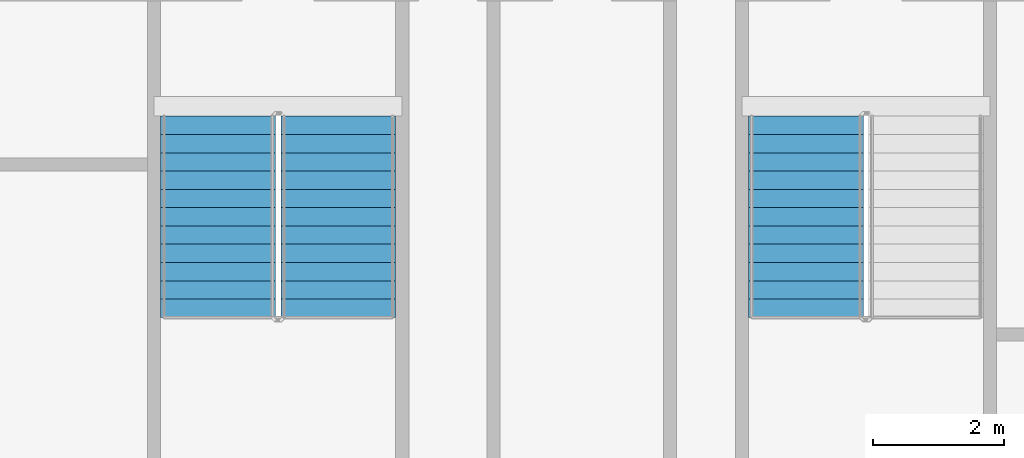
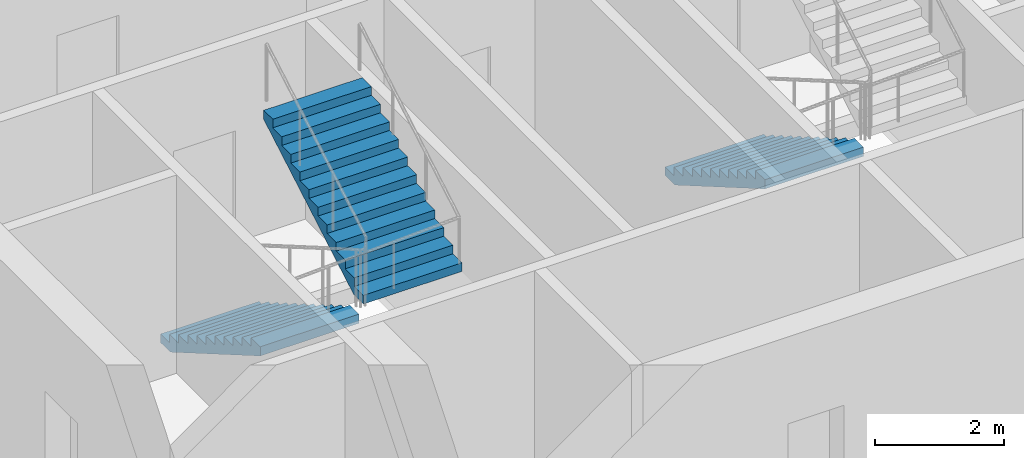
# One storey, part 7 of 14: 3 stair flights, 2 elements without a shape of their own.
"""IFC4 building model written with IfcOpenShell, lengths in metres."""

from ifc_helpers import new_model, si_unit, direction, frame, origin, place, context, subcontext, project, spatial, faceted_brep, material, type_object, element, aggregate, save


model = new_model("IFC4")

# Units and contexts
model_context = context("Model", 3, precision=1e-05, world=origin(), true_north=direction((0.0, 1.0)))
body_context = subcontext(model_context, "Body", "Model", "MODEL_VIEW")
ifc_project = project(units=[si_unit("LENGTHUNIT", "METRE"), si_unit("AREAUNIT", "SQUARE_METRE"), si_unit("VOLUMEUNIT", "CUBIC_METRE"), si_unit("PLANEANGLEUNIT", "RADIAN"), si_unit("MASSUNIT", "GRAM", prefix="KILO")], contexts=[model_context])

# Site, building, storey
site_placement = place(None, origin())
site = spatial("IfcSite", under=ifc_project, at=site_placement, CompositionType="ELEMENT")
building_placement = place(site_placement, origin())
building = spatial("IfcBuilding", under=site, at=building_placement, Name="Tarsis Ring Headquarters", CompositionType="ELEMENT")
storey_placement = place(building_placement, frame((0.0, 0.0, 343.10009765625)))
storey = spatial("IfcBuildingStorey", under=building, at=storey_placement, Name="L81", CompositionType="ELEMENT", Elevation=343.10009765625)

# Stair, stair flights
ifc_material_1 = material(Name="Core stair 1760")
stair_type = type_object("IfcStairType", Name="Core stair 1760", PredefinedType="HALF_TURN_STAIR", material=ifc_material_1)
stair_1_placement = place(storey_placement, origin())
stair_1 = element("IfcStair", 1, at=stair_1_placement, inside=storey, type_object=stair_type, Name="L81 Exit stair C", PredefinedType="HALF_TURN_STAIR")
ifc_material_2 = material(Name="Concrete C40/50", Category="concrete")
stair_flight_type = type_object("IfcStairFlightType", Name="Core stair flight 1760", PredefinedType="STRAIGHT", material=ifc_material_2)
stair_flight_1_placement = place(storey_placement, frame((-5.419921875, -3.659912109375, 0.0), z_axis=(0.0, 0.0, 1.0), x_axis=(0.0, -1.0, 0.0)))
stair_flight_1 = element("IfcStairFlight", 2, at=stair_flight_1_placement, type_object=stair_flight_type, Name="Stair ST3 flight 1", NumberOfRisers=12, NumberOfTreads=11, PredefinedType="STRAIGHT", RiserHeight=0.1625, TreadLength=0.28, context=body_context, shape_type="Brep", body=[
    faceted_brep([(0.0, 0.8798828125, 0.0), (0.0, 0.8798828125, 0.16259765625), (0.280029296875, 0.8798828125, 0.16259765625), (0.280029296875, 0.8798828125, 0.324951171875), (0.56005859375, 0.8798828125, 0.324951171875), (0.56005859375, 0.8798828125, 0.487548828125), (0.840087890625, 0.8798828125, 0.487548828125), (0.840087890625, 0.8798828125, 0.64990234375), (1.1201171875, 0.8798828125, 0.64990234375), (1.1201171875, 0.8798828125, 0.8125), (1.39990234375, 0.8798828125, 0.8125), (1.39990234375, 0.8798828125, 0.97509765625), (1.679931640625, 0.8798828125, 0.97509765625), (1.679931640625, 0.8798828125, 1.137451171875), (1.9599609375, 0.8798828125, 1.137451171875), (1.9599609375, 0.8798828125, 1.300048828125), (2.239990234375, 0.8798828125, 1.300048828125), (2.239990234375, 0.8798828125, 1.46240234375), (2.52001953125, 0.8798828125, 1.46240234375), (2.52001953125, 0.8798828125, 1.625), (2.800048828125, 0.8798828125, 1.625), (2.800048828125, 0.8798828125, 1.78759765625), (3.080078125, 0.8798828125, 1.78759765625), (3.080078125, 0.8798828125, 1.6142578125), (0.298583984375, 0.8798828125, 0.0), (0.298583984375, -0.8798828125, 0.0), (3.080078125, -0.8798828125, 1.6142578125), (3.080078125, -0.8798828125, 1.78759765625), (2.800048828125, -0.8798828125, 1.78759765625), (2.800048828125, -0.8798828125, 1.625), (2.52001953125, -0.8798828125, 1.625), (2.52001953125, -0.8798828125, 1.46240234375), (2.239990234375, -0.8798828125, 1.46240234375), (2.239990234375, -0.8798828125, 1.300048828125), (1.9599609375, -0.8798828125, 1.300048828125), (1.9599609375, -0.8798828125, 1.137451171875), (1.679931640625, -0.8798828125, 1.137451171875), (1.679931640625, -0.8798828125, 0.97509765625), (1.39990234375, -0.8798828125, 0.97509765625), (1.39990234375, -0.8798828125, 0.8125), (1.1201171875, -0.8798828125, 0.8125), (1.1201171875, -0.8798828125, 0.64990234375), (0.840087890625, -0.8798828125, 0.64990234375), (0.840087890625, -0.8798828125, 0.487548828125), (0.56005859375, -0.8798828125, 0.487548828125), (0.56005859375, -0.8798828125, 0.324951171875), (0.280029296875, -0.8798828125, 0.324951171875), (0.280029296875, -0.8798828125, 0.16259765625), (0.0, -0.8798828125, 0.16259765625), (0.0, -0.8798828125, 0.0), (0.0, -0.43994140625, 0.16259765625), (0.0, -0.43994140625, 0.0), (0.0, 0.0, 0.16259765625), (0.0, 0.0, 0.0), (0.0, 0.43994140625, 0.16259765625), (0.0, 0.43994140625, 0.0), (0.280029296875, -0.43994140625, 0.16259765625), (0.280029296875, 0.0, 0.16259765625), (0.280029296875, 0.43994140625, 0.16259765625), (0.280029296875, -0.43994140625, 0.324951171875), (0.280029296875, 0.0, 0.324951171875), (0.280029296875, 0.43994140625, 0.324951171875), (0.56005859375, -0.43994140625, 0.324951171875), (0.56005859375, 0.0, 0.324951171875), (0.56005859375, 0.43994140625, 0.324951171875), (0.56005859375, -0.43994140625, 0.487548828125), (0.56005859375, 0.0, 0.487548828125), (0.56005859375, 0.43994140625, 0.487548828125), (0.840087890625, -0.43994140625, 0.487548828125), (0.840087890625, 0.0, 0.487548828125), (0.840087890625, 0.43994140625, 0.487548828125), (0.840087890625, -0.43994140625, 0.64990234375), (0.840087890625, 0.0, 0.64990234375), (0.840087890625, 0.43994140625, 0.64990234375), (1.1201171875, -0.43994140625, 0.64990234375), (1.1201171875, 0.0, 0.64990234375), (1.1201171875, 0.43994140625, 0.64990234375), (1.1201171875, -0.43994140625, 0.8125), (1.1201171875, 0.0, 0.8125), (1.1201171875, 0.43994140625, 0.8125), (1.39990234375, -0.43994140625, 0.8125), (1.39990234375, 0.0, 0.8125), (1.39990234375, 0.43994140625, 0.8125), (1.39990234375, -0.43994140625, 0.97509765625), (1.39990234375, 0.0, 0.97509765625), (1.39990234375, 0.43994140625, 0.97509765625), (1.679931640625, -0.43994140625, 0.97509765625), (1.679931640625, 0.0, 0.97509765625), (1.679931640625, 0.43994140625, 0.97509765625), (1.679931640625, -0.43994140625, 1.137451171875), (1.679931640625, 0.0, 1.137451171875), (1.679931640625, 0.43994140625, 1.137451171875), (1.9599609375, -0.43994140625, 1.137451171875), (1.9599609375, 0.0, 1.137451171875), (1.9599609375, 0.43994140625, 1.137451171875), (1.9599609375, -0.43994140625, 1.300048828125), (1.9599609375, 0.0, 1.300048828125), (1.9599609375, 0.43994140625, 1.300048828125), (2.239990234375, -0.43994140625, 1.300048828125), (2.239990234375, 0.0, 1.300048828125), (2.239990234375, 0.43994140625, 1.300048828125), (2.239990234375, -0.43994140625, 1.46240234375), (2.239990234375, 0.0, 1.46240234375), (2.239990234375, 0.43994140625, 1.46240234375), (2.52001953125, -0.43994140625, 1.46240234375), (2.52001953125, 0.0, 1.46240234375), (2.52001953125, 0.43994140625, 1.46240234375), (2.52001953125, -0.43994140625, 1.625), (2.52001953125, 0.0, 1.625), (2.52001953125, 0.43994140625, 1.625), (2.800048828125, -0.43994140625, 1.625), (2.800048828125, 0.0, 1.625), (2.800048828125, 0.43994140625, 1.625), (2.800048828125, -0.43994140625, 1.78759765625), (2.800048828125, 0.0, 1.78759765625), (2.800048828125, 0.43994140625, 1.78759765625), (3.080078125, -0.43994140625, 1.78759765625), (3.080078125, 0.0, 1.78759765625), (3.080078125, 0.43994140625, 1.78759765625), (3.080078125, -0.43994140625, 1.6142578125), (3.080078125, 0.0, 1.6142578125), (3.080078125, 0.43994140625, 1.6142578125), (0.298583984375, -0.43994140625, 0.0), (0.298583984375, 0.0, 0.0), (0.298583984375, 0.43994140625, 0.0)], [[[0, 1, 2, 3, 4, 5, 6, 7, 8, 9, 10, 11, 12, 13, 14, 15, 16, 17, 18, 19, 20, 21, 22, 23, 24]], [[25, 26, 27, 28, 29, 30, 31, 32, 33, 34, 35, 36, 37, 38, 39, 40, 41, 42, 43, 44, 45, 46, 47, 48, 49]], [[49, 48, 50, 51]], [[51, 50, 52, 53]], [[53, 52, 54, 55]], [[55, 54, 1, 0]], [[48, 47, 56, 50]], [[50, 56, 57, 52]], [[52, 57, 58, 54]], [[54, 58, 2, 1]], [[47, 46, 59, 56]], [[56, 59, 60, 57]], [[57, 60, 61, 58]], [[58, 61, 3, 2]], [[46, 45, 62, 59]], [[59, 62, 63, 60]], [[60, 63, 64, 61]], [[61, 64, 4, 3]], [[45, 44, 65, 62]], [[62, 65, 66, 63]], [[63, 66, 67, 64]], [[64, 67, 5, 4]], [[44, 43, 68, 65]], [[65, 68, 69, 66]], [[66, 69, 70, 67]], [[67, 70, 6, 5]], [[43, 42, 71, 68]], [[68, 71, 72, 69]], [[69, 72, 73, 70]], [[70, 73, 7, 6]], [[42, 41, 74, 71]], [[71, 74, 75, 72]], [[72, 75, 76, 73]], [[73, 76, 8, 7]], [[41, 40, 77, 74]], [[74, 77, 78, 75]], [[75, 78, 79, 76]], [[76, 79, 9, 8]], [[40, 39, 80, 77]], [[77, 80, 81, 78]], [[78, 81, 82, 79]], [[79, 82, 10, 9]], [[39, 38, 83, 80]], [[80, 83, 84, 81]], [[81, 84, 85, 82]], [[82, 85, 11, 10]], [[38, 37, 86, 83]], [[83, 86, 87, 84]], [[84, 87, 88, 85]], [[85, 88, 12, 11]], [[37, 36, 89, 86]], [[86, 89, 90, 87]], [[87, 90, 91, 88]], [[88, 91, 13, 12]], [[36, 35, 92, 89]], [[89, 92, 93, 90]], [[90, 93, 94, 91]], [[91, 94, 14, 13]], [[35, 34, 95, 92]], [[92, 95, 96, 93]], [[93, 96, 97, 94]], [[94, 97, 15, 14]], [[34, 33, 98, 95]], [[95, 98, 99, 96]], [[96, 99, 100, 97]], [[97, 100, 16, 15]], [[33, 32, 101, 98]], [[98, 101, 102, 99]], [[99, 102, 103, 100]], [[100, 103, 17, 16]], [[32, 31, 104, 101]], [[101, 104, 105, 102]], [[102, 105, 106, 103]], [[103, 106, 18, 17]], [[31, 30, 107, 104]], [[104, 107, 108, 105]], [[105, 108, 109, 106]], [[106, 109, 19, 18]], [[30, 29, 110, 107]], [[107, 110, 111, 108]], [[108, 111, 112, 109]], [[109, 112, 20, 19]], [[29, 28, 113, 110]], [[110, 113, 114, 111]], [[111, 114, 115, 112]], [[112, 115, 21, 20]], [[28, 27, 116, 113]], [[113, 116, 117, 114]], [[114, 117, 118, 115]], [[115, 118, 22, 21]], [[27, 26, 119, 116]], [[116, 119, 120, 117]], [[117, 120, 121, 118]], [[118, 121, 23, 22]], [[26, 25, 122, 119]], [[119, 122, 123, 120]], [[120, 123, 124, 121]], [[121, 124, 24, 23]], [[25, 49, 51, 122]], [[122, 51, 53, 123]], [[123, 53, 55, 124]], [[124, 55, 0, 24]]]),
])
stair_flight_2_placement = place(storey_placement, frame((-3.580078125, -6.739990234375, 1.949951171875), z_axis=(0.0, 0.0, 1.0), x_axis=(0.0, 1.0, 0.0)))
stair_flight_2 = element("IfcStairFlight", 3, at=stair_flight_2_placement, type_object=stair_flight_type, Name="Stair ST3 flight 2", NumberOfRisers=12, NumberOfTreads=11, PredefinedType="STRAIGHT", RiserHeight=0.1625, TreadLength=0.28, context=body_context, shape_type="Brep", body=[
    faceted_brep([(0.0, 0.8798828125, 0.0), (0.0, 0.8798828125, 0.16259765625), (0.280029296875, 0.8798828125, 0.16259765625), (0.280029296875, 0.8798828125, 0.324951171875), (0.56005859375, 0.8798828125, 0.324951171875), (0.56005859375, 0.8798828125, 0.487548828125), (0.840087890625, 0.8798828125, 0.487548828125), (0.840087890625, 0.8798828125, 0.64990234375), (1.1201171875, 0.8798828125, 0.64990234375), (1.1201171875, 0.8798828125, 0.8125), (1.39990234375, 0.8798828125, 0.8125), (1.39990234375, 0.8798828125, 0.97509765625), (1.679931640625, 0.8798828125, 0.97509765625), (1.679931640625, 0.8798828125, 1.137451171875), (1.9599609375, 0.8798828125, 1.137451171875), (1.9599609375, 0.8798828125, 1.300048828125), (2.239990234375, 0.8798828125, 1.300048828125), (2.239990234375, 0.8798828125, 1.46240234375), (2.52001953125, 0.8798828125, 1.46240234375), (2.52001953125, 0.8798828125, 1.625), (2.800048828125, 0.8798828125, 1.625), (2.800048828125, 0.8798828125, 1.78759765625), (3.080078125, 0.8798828125, 1.78759765625), (3.080078125, 0.8798828125, 1.6142578125), (0.298583984375, 0.8798828125, 0.0), (0.298583984375, -0.8798828125, 0.0), (3.080078125, -0.8798828125, 1.6142578125), (3.080078125, -0.8798828125, 1.78759765625), (2.800048828125, -0.8798828125, 1.78759765625), (2.800048828125, -0.8798828125, 1.625), (2.52001953125, -0.8798828125, 1.625), (2.52001953125, -0.8798828125, 1.46240234375), (2.239990234375, -0.8798828125, 1.46240234375), (2.239990234375, -0.8798828125, 1.300048828125), (1.9599609375, -0.8798828125, 1.300048828125), (1.9599609375, -0.8798828125, 1.137451171875), (1.679931640625, -0.8798828125, 1.137451171875), (1.679931640625, -0.8798828125, 0.97509765625), (1.39990234375, -0.8798828125, 0.97509765625), (1.39990234375, -0.8798828125, 0.8125), (1.1201171875, -0.8798828125, 0.8125), (1.1201171875, -0.8798828125, 0.64990234375), (0.840087890625, -0.8798828125, 0.64990234375), (0.840087890625, -0.8798828125, 0.487548828125), (0.56005859375, -0.8798828125, 0.487548828125), (0.56005859375, -0.8798828125, 0.324951171875), (0.280029296875, -0.8798828125, 0.324951171875), (0.280029296875, -0.8798828125, 0.16259765625), (0.0, -0.8798828125, 0.16259765625), (0.0, -0.8798828125, 0.0), (0.0, -0.43994140625, 0.16259765625), (0.0, -0.43994140625, 0.0), (0.0, 0.0, 0.16259765625), (0.0, 0.0, 0.0), (0.0, 0.43994140625, 0.16259765625), (0.0, 0.43994140625, 0.0), (0.280029296875, -0.43994140625, 0.16259765625), (0.280029296875, 0.0, 0.16259765625), (0.280029296875, 0.43994140625, 0.16259765625), (0.280029296875, -0.43994140625, 0.324951171875), (0.280029296875, 0.0, 0.324951171875), (0.280029296875, 0.43994140625, 0.324951171875), (0.56005859375, -0.43994140625, 0.324951171875), (0.56005859375, 0.0, 0.324951171875), (0.56005859375, 0.43994140625, 0.324951171875), (0.56005859375, -0.43994140625, 0.487548828125), (0.56005859375, 0.0, 0.487548828125), (0.56005859375, 0.43994140625, 0.487548828125), (0.840087890625, -0.43994140625, 0.487548828125), (0.840087890625, 0.0, 0.487548828125), (0.840087890625, 0.43994140625, 0.487548828125), (0.840087890625, -0.43994140625, 0.64990234375), (0.840087890625, 0.0, 0.64990234375), (0.840087890625, 0.43994140625, 0.64990234375), (1.1201171875, -0.43994140625, 0.64990234375), (1.1201171875, 0.0, 0.64990234375), (1.1201171875, 0.43994140625, 0.64990234375), (1.1201171875, -0.43994140625, 0.8125), (1.1201171875, 0.0, 0.8125), (1.1201171875, 0.43994140625, 0.8125), (1.39990234375, -0.43994140625, 0.8125), (1.39990234375, 0.0, 0.8125), (1.39990234375, 0.43994140625, 0.8125), (1.39990234375, -0.43994140625, 0.97509765625), (1.39990234375, 0.0, 0.97509765625), (1.39990234375, 0.43994140625, 0.97509765625), (1.679931640625, -0.43994140625, 0.97509765625), (1.679931640625, 0.0, 0.97509765625), (1.679931640625, 0.43994140625, 0.97509765625), (1.679931640625, -0.43994140625, 1.137451171875), (1.679931640625, 0.0, 1.137451171875), (1.679931640625, 0.43994140625, 1.137451171875), (1.9599609375, -0.43994140625, 1.137451171875), (1.9599609375, 0.0, 1.137451171875), (1.9599609375, 0.43994140625, 1.137451171875), (1.9599609375, -0.43994140625, 1.300048828125), (1.9599609375, 0.0, 1.300048828125), (1.9599609375, 0.43994140625, 1.300048828125), (2.239990234375, -0.43994140625, 1.300048828125), (2.239990234375, 0.0, 1.300048828125), (2.239990234375, 0.43994140625, 1.300048828125), (2.239990234375, -0.43994140625, 1.46240234375), (2.239990234375, 0.0, 1.46240234375), (2.239990234375, 0.43994140625, 1.46240234375), (2.52001953125, -0.43994140625, 1.46240234375), (2.52001953125, 0.0, 1.46240234375), (2.52001953125, 0.43994140625, 1.46240234375), (2.52001953125, -0.43994140625, 1.625), (2.52001953125, 0.0, 1.625), (2.52001953125, 0.43994140625, 1.625), (2.800048828125, -0.43994140625, 1.625), (2.800048828125, 0.0, 1.625), (2.800048828125, 0.43994140625, 1.625), (2.800048828125, -0.43994140625, 1.78759765625), (2.800048828125, 0.0, 1.78759765625), (2.800048828125, 0.43994140625, 1.78759765625), (3.080078125, -0.43994140625, 1.78759765625), (3.080078125, 0.0, 1.78759765625), (3.080078125, 0.43994140625, 1.78759765625), (3.080078125, -0.43994140625, 1.6142578125), (3.080078125, 0.0, 1.6142578125), (3.080078125, 0.43994140625, 1.6142578125), (0.298583984375, -0.43994140625, 0.0), (0.298583984375, 0.0, 0.0), (0.298583984375, 0.43994140625, 0.0)], [[[0, 1, 2, 3, 4, 5, 6, 7, 8, 9, 10, 11, 12, 13, 14, 15, 16, 17, 18, 19, 20, 21, 22, 23, 24]], [[25, 26, 27, 28, 29, 30, 31, 32, 33, 34, 35, 36, 37, 38, 39, 40, 41, 42, 43, 44, 45, 46, 47, 48, 49]], [[49, 48, 50, 51]], [[51, 50, 52, 53]], [[53, 52, 54, 55]], [[55, 54, 1, 0]], [[48, 47, 56, 50]], [[50, 56, 57, 52]], [[52, 57, 58, 54]], [[54, 58, 2, 1]], [[47, 46, 59, 56]], [[56, 59, 60, 57]], [[57, 60, 61, 58]], [[58, 61, 3, 2]], [[46, 45, 62, 59]], [[59, 62, 63, 60]], [[60, 63, 64, 61]], [[61, 64, 4, 3]], [[45, 44, 65, 62]], [[62, 65, 66, 63]], [[63, 66, 67, 64]], [[64, 67, 5, 4]], [[44, 43, 68, 65]], [[65, 68, 69, 66]], [[66, 69, 70, 67]], [[67, 70, 6, 5]], [[43, 42, 71, 68]], [[68, 71, 72, 69]], [[69, 72, 73, 70]], [[70, 73, 7, 6]], [[42, 41, 74, 71]], [[71, 74, 75, 72]], [[72, 75, 76, 73]], [[73, 76, 8, 7]], [[41, 40, 77, 74]], [[74, 77, 78, 75]], [[75, 78, 79, 76]], [[76, 79, 9, 8]], [[40, 39, 80, 77]], [[77, 80, 81, 78]], [[78, 81, 82, 79]], [[79, 82, 10, 9]], [[39, 38, 83, 80]], [[80, 83, 84, 81]], [[81, 84, 85, 82]], [[82, 85, 11, 10]], [[38, 37, 86, 83]], [[83, 86, 87, 84]], [[84, 87, 88, 85]], [[85, 88, 12, 11]], [[37, 36, 89, 86]], [[86, 89, 90, 87]], [[87, 90, 91, 88]], [[88, 91, 13, 12]], [[36, 35, 92, 89]], [[89, 92, 93, 90]], [[90, 93, 94, 91]], [[91, 94, 14, 13]], [[35, 34, 95, 92]], [[92, 95, 96, 93]], [[93, 96, 97, 94]], [[94, 97, 15, 14]], [[34, 33, 98, 95]], [[95, 98, 99, 96]], [[96, 99, 100, 97]], [[97, 100, 16, 15]], [[33, 32, 101, 98]], [[98, 101, 102, 99]], [[99, 102, 103, 100]], [[100, 103, 17, 16]], [[32, 31, 104, 101]], [[101, 104, 105, 102]], [[102, 105, 106, 103]], [[103, 106, 18, 17]], [[31, 30, 107, 104]], [[104, 107, 108, 105]], [[105, 108, 109, 106]], [[106, 109, 19, 18]], [[30, 29, 110, 107]], [[107, 110, 111, 108]], [[108, 111, 112, 109]], [[109, 112, 20, 19]], [[29, 28, 113, 110]], [[110, 113, 114, 111]], [[111, 114, 115, 112]], [[112, 115, 21, 20]], [[28, 27, 116, 113]], [[113, 116, 117, 114]], [[114, 117, 118, 115]], [[115, 118, 22, 21]], [[27, 26, 119, 116]], [[116, 119, 120, 117]], [[117, 120, 121, 118]], [[118, 121, 23, 22]], [[26, 25, 122, 119]], [[119, 122, 123, 120]], [[120, 123, 124, 121]], [[121, 124, 24, 23]], [[25, 49, 51, 122]], [[122, 51, 53, 123]], [[123, 53, 55, 124]], [[124, 55, 0, 24]]]),
])
aggregate(stair_1, [stair_flight_1, stair_flight_2])

# Stair, stair flight
stair_2_placement = place(storey_placement, origin())
stair_2 = element("IfcStair", 4, at=stair_2_placement, inside=storey, type_object=stair_type, Name="L81 Exit stair D", PredefinedType="HALF_TURN_STAIR")
stair_flight_3_placement = place(storey_placement, frame((3.580078125, -3.659912109375, 0.0), z_axis=(0.0, 0.0, 1.0), x_axis=(0.0, -1.0, 0.0)))
stair_flight_3 = element("IfcStairFlight", 5, at=stair_flight_3_placement, type_object=stair_flight_type, Name="Stair ST4 flight 1", NumberOfRisers=12, NumberOfTreads=11, PredefinedType="STRAIGHT", RiserHeight=0.1625, TreadLength=0.28, context=body_context, shape_type="Brep", body=[
    faceted_brep([(0.0, 0.8798828125, 0.0), (0.0, 0.8798828125, 0.16259765625), (0.280029296875, 0.8798828125, 0.16259765625), (0.280029296875, 0.8798828125, 0.324951171875), (0.56005859375, 0.8798828125, 0.324951171875), (0.56005859375, 0.8798828125, 0.487548828125), (0.840087890625, 0.8798828125, 0.487548828125), (0.840087890625, 0.8798828125, 0.64990234375), (1.1201171875, 0.8798828125, 0.64990234375), (1.1201171875, 0.8798828125, 0.8125), (1.39990234375, 0.8798828125, 0.8125), (1.39990234375, 0.8798828125, 0.97509765625), (1.679931640625, 0.8798828125, 0.97509765625), (1.679931640625, 0.8798828125, 1.137451171875), (1.9599609375, 0.8798828125, 1.137451171875), (1.9599609375, 0.8798828125, 1.300048828125), (2.239990234375, 0.8798828125, 1.300048828125), (2.239990234375, 0.8798828125, 1.46240234375), (2.52001953125, 0.8798828125, 1.46240234375), (2.52001953125, 0.8798828125, 1.625), (2.800048828125, 0.8798828125, 1.625), (2.800048828125, 0.8798828125, 1.78759765625), (3.080078125, 0.8798828125, 1.78759765625), (3.080078125, 0.8798828125, 1.6142578125), (0.298583984375, 0.8798828125, 0.0), (0.298583984375, -0.8798828125, 0.0), (3.080078125, -0.8798828125, 1.6142578125), (3.080078125, -0.8798828125, 1.78759765625), (2.800048828125, -0.8798828125, 1.78759765625), (2.800048828125, -0.8798828125, 1.625), (2.52001953125, -0.8798828125, 1.625), (2.52001953125, -0.8798828125, 1.46240234375), (2.239990234375, -0.8798828125, 1.46240234375), (2.239990234375, -0.8798828125, 1.300048828125), (1.9599609375, -0.8798828125, 1.300048828125), (1.9599609375, -0.8798828125, 1.137451171875), (1.679931640625, -0.8798828125, 1.137451171875), (1.679931640625, -0.8798828125, 0.97509765625), (1.39990234375, -0.8798828125, 0.97509765625), (1.39990234375, -0.8798828125, 0.8125), (1.1201171875, -0.8798828125, 0.8125), (1.1201171875, -0.8798828125, 0.64990234375), (0.840087890625, -0.8798828125, 0.64990234375), (0.840087890625, -0.8798828125, 0.487548828125), (0.56005859375, -0.8798828125, 0.487548828125), (0.56005859375, -0.8798828125, 0.324951171875), (0.280029296875, -0.8798828125, 0.324951171875), (0.280029296875, -0.8798828125, 0.16259765625), (0.0, -0.8798828125, 0.16259765625), (0.0, -0.8798828125, 0.0), (0.0, -0.43994140625, 0.16259765625), (0.0, -0.43994140625, 0.0), (0.0, 0.0, 0.16259765625), (0.0, 0.0, 0.0), (0.0, 0.43994140625, 0.16259765625), (0.0, 0.43994140625, 0.0), (0.280029296875, -0.43994140625, 0.16259765625), (0.280029296875, 0.0, 0.16259765625), (0.280029296875, 0.43994140625, 0.16259765625), (0.280029296875, -0.43994140625, 0.324951171875), (0.280029296875, 0.0, 0.324951171875), (0.280029296875, 0.43994140625, 0.324951171875), (0.56005859375, -0.43994140625, 0.324951171875), (0.56005859375, 0.0, 0.324951171875), (0.56005859375, 0.43994140625, 0.324951171875), (0.56005859375, -0.43994140625, 0.487548828125), (0.56005859375, 0.0, 0.487548828125), (0.56005859375, 0.43994140625, 0.487548828125), (0.840087890625, -0.43994140625, 0.487548828125), (0.840087890625, 0.0, 0.487548828125), (0.840087890625, 0.43994140625, 0.487548828125), (0.840087890625, -0.43994140625, 0.64990234375), (0.840087890625, 0.0, 0.64990234375), (0.840087890625, 0.43994140625, 0.64990234375), (1.1201171875, -0.43994140625, 0.64990234375), (1.1201171875, 0.0, 0.64990234375), (1.1201171875, 0.43994140625, 0.64990234375), (1.1201171875, -0.43994140625, 0.8125), (1.1201171875, 0.0, 0.8125), (1.1201171875, 0.43994140625, 0.8125), (1.39990234375, -0.43994140625, 0.8125), (1.39990234375, 0.0, 0.8125), (1.39990234375, 0.43994140625, 0.8125), (1.39990234375, -0.43994140625, 0.97509765625), (1.39990234375, 0.0, 0.97509765625), (1.39990234375, 0.43994140625, 0.97509765625), (1.679931640625, -0.43994140625, 0.97509765625), (1.679931640625, 0.0, 0.97509765625), (1.679931640625, 0.43994140625, 0.97509765625), (1.679931640625, -0.43994140625, 1.137451171875), (1.679931640625, 0.0, 1.137451171875), (1.679931640625, 0.43994140625, 1.137451171875), (1.9599609375, -0.43994140625, 1.137451171875), (1.9599609375, 0.0, 1.137451171875), (1.9599609375, 0.43994140625, 1.137451171875), (1.9599609375, -0.43994140625, 1.300048828125), (1.9599609375, 0.0, 1.300048828125), (1.9599609375, 0.43994140625, 1.300048828125), (2.239990234375, -0.43994140625, 1.300048828125), (2.239990234375, 0.0, 1.300048828125), (2.239990234375, 0.43994140625, 1.300048828125), (2.239990234375, -0.43994140625, 1.46240234375), (2.239990234375, 0.0, 1.46240234375), (2.239990234375, 0.43994140625, 1.46240234375), (2.52001953125, -0.43994140625, 1.46240234375), (2.52001953125, 0.0, 1.46240234375), (2.52001953125, 0.43994140625, 1.46240234375), (2.52001953125, -0.43994140625, 1.625), (2.52001953125, 0.0, 1.625), (2.52001953125, 0.43994140625, 1.625), (2.800048828125, -0.43994140625, 1.625), (2.800048828125, 0.0, 1.625), (2.800048828125, 0.43994140625, 1.625), (2.800048828125, -0.43994140625, 1.78759765625), (2.800048828125, 0.0, 1.78759765625), (2.800048828125, 0.43994140625, 1.78759765625), (3.080078125, -0.43994140625, 1.78759765625), (3.080078125, 0.0, 1.78759765625), (3.080078125, 0.43994140625, 1.78759765625), (3.080078125, -0.43994140625, 1.6142578125), (3.080078125, 0.0, 1.6142578125), (3.080078125, 0.43994140625, 1.6142578125), (0.298583984375, -0.43994140625, 0.0), (0.298583984375, 0.0, 0.0), (0.298583984375, 0.43994140625, 0.0)], [[[0, 1, 2, 3, 4, 5, 6, 7, 8, 9, 10, 11, 12, 13, 14, 15, 16, 17, 18, 19, 20, 21, 22, 23, 24]], [[25, 26, 27, 28, 29, 30, 31, 32, 33, 34, 35, 36, 37, 38, 39, 40, 41, 42, 43, 44, 45, 46, 47, 48, 49]], [[49, 48, 50, 51]], [[51, 50, 52, 53]], [[53, 52, 54, 55]], [[55, 54, 1, 0]], [[48, 47, 56, 50]], [[50, 56, 57, 52]], [[52, 57, 58, 54]], [[54, 58, 2, 1]], [[47, 46, 59, 56]], [[56, 59, 60, 57]], [[57, 60, 61, 58]], [[58, 61, 3, 2]], [[46, 45, 62, 59]], [[59, 62, 63, 60]], [[60, 63, 64, 61]], [[61, 64, 4, 3]], [[45, 44, 65, 62]], [[62, 65, 66, 63]], [[63, 66, 67, 64]], [[64, 67, 5, 4]], [[44, 43, 68, 65]], [[65, 68, 69, 66]], [[66, 69, 70, 67]], [[67, 70, 6, 5]], [[43, 42, 71, 68]], [[68, 71, 72, 69]], [[69, 72, 73, 70]], [[70, 73, 7, 6]], [[42, 41, 74, 71]], [[71, 74, 75, 72]], [[72, 75, 76, 73]], [[73, 76, 8, 7]], [[41, 40, 77, 74]], [[74, 77, 78, 75]], [[75, 78, 79, 76]], [[76, 79, 9, 8]], [[40, 39, 80, 77]], [[77, 80, 81, 78]], [[78, 81, 82, 79]], [[79, 82, 10, 9]], [[39, 38, 83, 80]], [[80, 83, 84, 81]], [[81, 84, 85, 82]], [[82, 85, 11, 10]], [[38, 37, 86, 83]], [[83, 86, 87, 84]], [[84, 87, 88, 85]], [[85, 88, 12, 11]], [[37, 36, 89, 86]], [[86, 89, 90, 87]], [[87, 90, 91, 88]], [[88, 91, 13, 12]], [[36, 35, 92, 89]], [[89, 92, 93, 90]], [[90, 93, 94, 91]], [[91, 94, 14, 13]], [[35, 34, 95, 92]], [[92, 95, 96, 93]], [[93, 96, 97, 94]], [[94, 97, 15, 14]], [[34, 33, 98, 95]], [[95, 98, 99, 96]], [[96, 99, 100, 97]], [[97, 100, 16, 15]], [[33, 32, 101, 98]], [[98, 101, 102, 99]], [[99, 102, 103, 100]], [[100, 103, 17, 16]], [[32, 31, 104, 101]], [[101, 104, 105, 102]], [[102, 105, 106, 103]], [[103, 106, 18, 17]], [[31, 30, 107, 104]], [[104, 107, 108, 105]], [[105, 108, 109, 106]], [[106, 109, 19, 18]], [[30, 29, 110, 107]], [[107, 110, 111, 108]], [[108, 111, 112, 109]], [[109, 112, 20, 19]], [[29, 28, 113, 110]], [[110, 113, 114, 111]], [[111, 114, 115, 112]], [[112, 115, 21, 20]], [[28, 27, 116, 113]], [[113, 116, 117, 114]], [[114, 117, 118, 115]], [[115, 118, 22, 21]], [[27, 26, 119, 116]], [[116, 119, 120, 117]], [[117, 120, 121, 118]], [[118, 121, 23, 22]], [[26, 25, 122, 119]], [[119, 122, 123, 120]], [[120, 123, 124, 121]], [[121, 124, 24, 23]], [[25, 49, 51, 122]], [[122, 51, 53, 123]], [[123, 53, 55, 124]], [[124, 55, 0, 24]]]),
])
aggregate(stair_2, [stair_flight_3])

save(model, "model.ifc")
